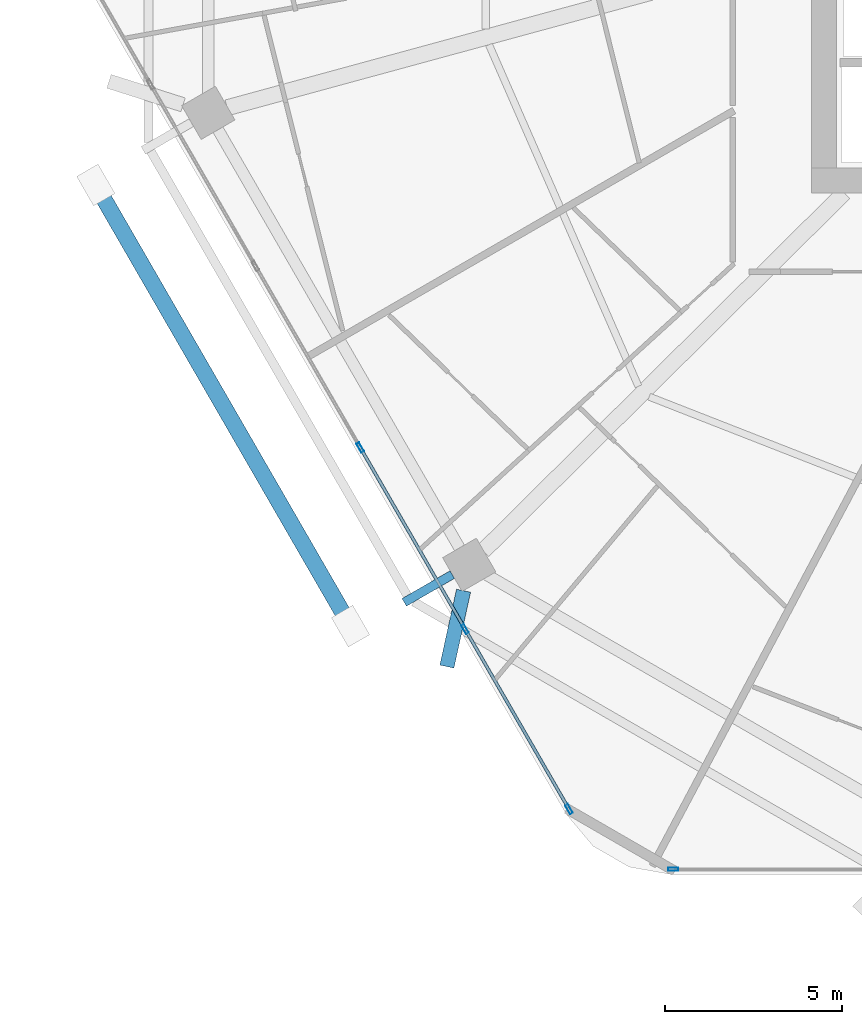
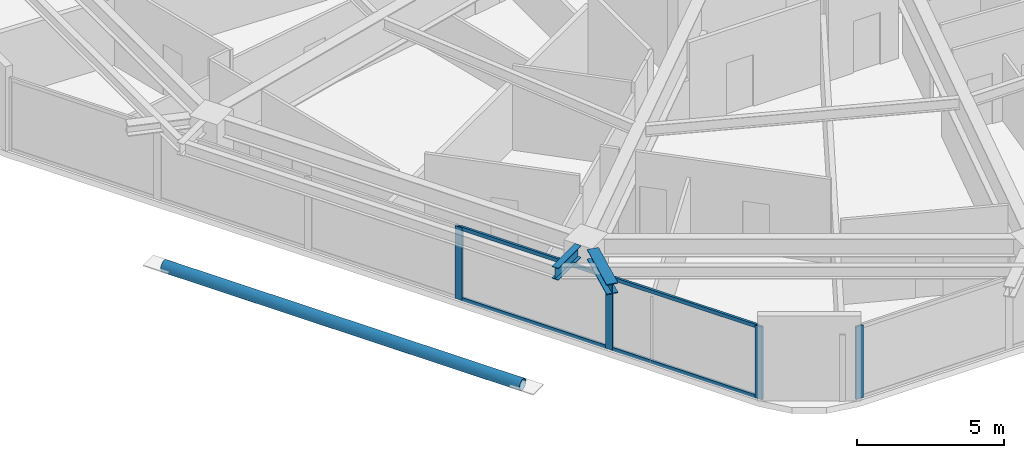
# One storey, part 2 of 33: 9 members, 2 beams, 2 elements without a shape of their own.
"""IFC4 building model written with IfcOpenShell, lengths in metres."""

from ifc_helpers import new_model, si_unit, direction, frame, origin, origin_2d, place, context, subcontext, project, spatial, hollow_rectangle, hollow_circle, i_section, extrude, material, material_profile, profile_set, type_object, element, aggregate, save


model = new_model("IFC4")

# Units and contexts
model_context = context("Model", 3, precision=1e-05, world=origin(), true_north=direction((0.0, 1.0)))
body_context = subcontext(model_context, "Body", "Model", "MODEL_VIEW")
ifc_project = project(units=[si_unit("LENGTHUNIT", "METRE"), si_unit("AREAUNIT", "SQUARE_METRE"), si_unit("VOLUMEUNIT", "CUBIC_METRE"), si_unit("PLANEANGLEUNIT", "RADIAN"), si_unit("MASSUNIT", "GRAM", prefix="KILO")], contexts=[model_context])

# Site, building, storey
site_placement = place(None, origin())
site = spatial("IfcSite", under=ifc_project, at=site_placement, CompositionType="ELEMENT")
building_placement = place(site_placement, origin())
building = spatial("IfcBuilding", under=site, at=building_placement, Name="Zuhravey Tower", CompositionType="ELEMENT")
storey_placement = place(building_placement, frame((0.0, 0.0, 141.800048828125)))
storey = spatial("IfcBuildingStorey", under=building, at=storey_placement, Name="L35", CompositionType="ELEMENT", Elevation=141.800048828125)

# Curtain wall, member
ifc_material_1 = material(Name="Thermally broken anodised aluminium", Category="aluminium")
curtain_wall_type = type_object("IfcCurtainWallType", Name="Zone 1-2 Residential Curtain Wall CW3", PredefinedType="NOTDEFINED", material=ifc_material_1)
curtain_wall_1_placement = place(storey_placement, origin())
curtain_wall_1 = element("IfcCurtainWall", 1, at=curtain_wall_1_placement, inside=storey, type_object=curtain_wall_type, Name="L35 CW3 CW-L35-F5-1", PredefinedType="NOTDEFINED")
ifc_material_2 = material(Name="Anodised aluminium", Category="aluminium")
ifc_material_profile_1 = material_profile(ifc_material_2, hollow_rectangle(XDim=0.090087890625, YDim=0.284912109375, WallThickness=0.0048828125, at=origin_2d()), Name="ALU-RHS-90x285x5")
ifc_profile_set_1 = profile_set([ifc_material_profile_1], Name="Anodised aluminium")
member_type_1 = type_object("IfcMemberType", Name="Curtain-Wall Mullion 90x180", PredefinedType="MULLION", material=ifc_profile_set_1)
member_1_placement = place(storey_placement, frame((21.24560546875, 3.04150390625, 0.0), z_axis=(0.0, 0.0, 1.0), x_axis=(0.0, -1.0, 0.0)))
member_1 = element("IfcMember", 2, at=member_1_placement, type_object=member_type_1, Name="CW3 mullion 6", PredefinedType="MULLION", context=body_context, shape_type="SweptSolid", body=[
    extrude(hollow_rectangle(XDim=0.090087890625, YDim=0.284912109375, WallThickness=0.0048828125, at=origin_2d()), origin(), (0.0, 0.0, 1.0), 3.02001953125),
])
aggregate(curtain_wall_1, [member_1])

# Curtain wall, members
curtain_wall_2_placement = place(storey_placement, origin())
curtain_wall_2 = element("IfcCurtainWall", 3, at=curtain_wall_2_placement, inside=storey, type_object=curtain_wall_type, Name="L35 CW3 CW-L35-F4-1", PredefinedType="NOTDEFINED")
member_2_placement = place(storey_placement, frame((18.298583984375, 4.742919921875, 0.0), z_axis=(0.0, 0.0, 1.0), x_axis=(-0.86602552265, -0.499999794119, 0.0)))
member_2 = element("IfcMember", 4, at=member_2_placement, type_object=member_type_1, Name="CW3 mullion 1", PredefinedType="MULLION", context=body_context, shape_type="SweptSolid", body=[
    extrude(hollow_rectangle(XDim=0.090087890625, YDim=0.284912109375, WallThickness=0.0048828125, at=origin_2d()), origin(), (0.0, 0.0, 1.0), 3.02001953125),
])
member_3_placement = place(storey_placement, frame((15.361083984375, 9.830810546875, 0.0), z_axis=(0.0, 0.0, 1.0), x_axis=(-0.86602552265, -0.499999794119, 0.0)))
member_3 = element("IfcMember", 5, at=member_3_placement, type_object=member_type_1, Name="CW3 mullion 2", PredefinedType="MULLION", context=body_context, shape_type="SweptSolid", body=[
    extrude(hollow_rectangle(XDim=0.090087890625, YDim=0.284912109375, WallThickness=0.0048828125, at=origin_2d()), origin(), (0.0, 0.0, 1.0), 3.02001953125),
])
member_4_placement = place(storey_placement, frame((12.401123046875, 14.95751953125, 0.0), z_axis=(0.0, 0.0, 1.0), x_axis=(-0.86602552265, -0.499999794119, 0.0)))
member_4 = element("IfcMember", 6, at=member_4_placement, type_object=member_type_1, Name="CW3 mullion 3", PredefinedType="MULLION", context=body_context, shape_type="SweptSolid", body=[
    extrude(hollow_rectangle(XDim=0.090087890625, YDim=0.284912109375, WallThickness=0.0048828125, at=origin_2d()), origin(), (0.0, 0.0, 1.0), 3.02001953125),
])
ifc_material_profile_2 = material_profile(ifc_material_2, hollow_rectangle(XDim=0.090087890625, YDim=0.14990234375, WallThickness=0.0048828125, at=origin_2d()), Name="ALU-RHS-90x150x5")
ifc_profile_set_2 = profile_set([ifc_material_profile_2], Name="Anodised aluminium")
member_type_2 = type_object("IfcMemberType", Name="Curtain-Wall Transom 90x150", PredefinedType="USERDEFINED", material=ifc_profile_set_2)
member_5_placement = place(storey_placement, frame((18.27587890625, 4.781982421875, 0.044921875), z_axis=(-0.499992798144, 0.866029561738, 0.0), x_axis=(-0.866029561738, -0.499992798144, 0.0)))
member_5 = element("IfcMember", 7, at=member_5_placement, type_object=member_type_2, Name="CW3 transom 1.1", ObjectType="TRANSOM", PredefinedType="USERDEFINED", context=body_context, shape_type="SweptSolid", body=[
    extrude(hollow_rectangle(XDim=0.090087890625, YDim=0.14990234375, WallThickness=0.0048828125, at=origin_2d()), origin(), (0.0, 0.0, 1.0), 5.78466796875),
])
member_6_placement = place(storey_placement, frame((18.27587890625, 4.781982421875, 2.974853515625), z_axis=(-0.499992798144, 0.866029561738, 0.0), x_axis=(-0.866029561738, -0.499992798144, 0.0)))
member_6 = element("IfcMember", 8, at=member_6_placement, type_object=member_type_2, Name="CW3 transom 1.2", ObjectType="TRANSOM", PredefinedType="USERDEFINED", context=body_context, shape_type="SweptSolid", body=[
    extrude(hollow_rectangle(XDim=0.090087890625, YDim=0.14990234375, WallThickness=0.0048828125, at=origin_2d()), origin(), (0.0, 0.0, 1.0), 5.78466796875),
])
member_7_placement = place(storey_placement, frame((15.338623046875, 9.86962890625, 0.044921875), z_axis=(-0.500012451049, 0.866018215049, 0.0), x_axis=(-0.866018215049, -0.500012451049, 0.0)))
member_7 = element("IfcMember", 9, at=member_7_placement, type_object=member_type_2, Name="CW3 transom 2.1", ObjectType="TRANSOM", PredefinedType="USERDEFINED", context=body_context, shape_type="SweptSolid", body=[
    extrude(hollow_rectangle(XDim=0.090087890625, YDim=0.14990234375, WallThickness=0.0048828125, at=origin_2d()), origin(), (0.0, 0.0, 1.0), 5.829833984375),
])
member_8_placement = place(storey_placement, frame((15.338623046875, 9.86962890625, 2.974853515625), z_axis=(-0.500012451049, 0.866018215049, 0.0), x_axis=(-0.866018215049, -0.500012451049, 0.0)))
member_8 = element("IfcMember", 10, at=member_8_placement, type_object=member_type_2, Name="CW3 transom 2.2", ObjectType="TRANSOM", PredefinedType="USERDEFINED", context=body_context, shape_type="SweptSolid", body=[
    extrude(hollow_rectangle(XDim=0.090087890625, YDim=0.14990234375, WallThickness=0.0048828125, at=origin_2d()), origin(), (0.0, 0.0, 1.0), 5.829833984375),
])
aggregate(curtain_wall_2, [member_2, member_3, member_4, member_5, member_6, member_7, member_8])

# Beam
ifc_material_3 = material(Name="Steel SM460", Category="steel")
ifc_material_profile_3 = material_profile(ifc_material_3, i_section(OverallWidth=0.406982421875, OverallDepth=0.427978515625, WebThickness=0.02001953125, FlangeThickness=0.034912109375, at=origin_2d()), Name="H-428x407x20x35")
ifc_profile_set_3 = profile_set([ifc_material_profile_3], Name="Steel SM460")
beam_type_1 = type_object("IfcBeamType", Name="Exoskeleton Node Tie Beam H428x407", PredefinedType="BEAM", material=ifc_profile_set_3)
beam_1_placement = place(storey_placement, frame((15.3203125, 10.911865234375, 3.305908203125), z_axis=(-0.214692013103, -0.976681800542, 0.0), x_axis=(0.976681800542, -0.214692013103, 0.0)))
element("IfcBeam", 11, at=beam_1_placement, inside=storey, type_object=beam_type_1, Name="L35 Exoskeleton Node Tie NT1-08", PredefinedType="BEAM", context=body_context, shape_type="SweptSolid", body=[
    extrude(i_section(OverallWidth=0.406982421875, OverallDepth=0.427978515625, WebThickness=0.02001953125, FlangeThickness=0.034912109375, at=origin_2d()), origin(), (0.0, 0.0, 1.0), 2.19482421875),
])

# Member
ifc_material_4 = material(Name="Steel SM355", Category="steel")
ifc_material_profile_4 = material_profile(ifc_material_4, hollow_circle(Radius=0.228515625, WallThickness=0.02197265625, at=origin_2d()), Name="CHS-457.2x22")
ifc_profile_set_4 = profile_set([ifc_material_profile_4], Name="Steel SM355")
member_type_3 = type_object("IfcMemberType", Name="Exoskeleton Ring Tie CHS457x22", PredefinedType="CHORD", material=ifc_profile_set_4)
member_9_placement = place(storey_placement, frame((5.004150390625, 22.24951171875, -0.464111328125), z_axis=(0.499995593262, -0.866027948001, 0.0), x_axis=(0.866027948001, 0.499995593262, 0.0)))
element("IfcMember", 12, at=member_9_placement, inside=storey, type_object=member_type_3, Name="L35 Exoskeleton Face 4 Tie EXR1", PredefinedType="CHORD", context=body_context, shape_type="SweptSolid", body=[
    extrude(hollow_circle(Radius=0.228515625, WallThickness=0.02197265625, at=origin_2d()), origin(), (0.0, 0.0, 1.0), 14.107666015625),
])

# Beam
ifc_material_profile_5 = material_profile(ifc_material_4, i_section(OverallWidth=0.25, OverallDepth=0.5, WebThickness=0.010009765625, FlangeThickness=0.01611328125, at=origin_2d()), Name="H-500x250x10x16")
ifc_profile_set_5 = profile_set([ifc_material_profile_5], Name="Steel SM355")
beam_type_2 = type_object("IfcBeamType", Name="Tray Cantilever Spandrel H500x250", PredefinedType="SPANDREL", material=ifc_profile_set_5)
beam_2_placement = place(storey_placement, frame((15.001220703125, 11.3662109375, 3.27001953125), z_axis=(-0.8659700968, -0.500095782274, 0.0), x_axis=(0.500095782274, -0.8659700968, 0.0)))
element("IfcBeam", 13, at=beam_2_placement, inside=storey, type_object=beam_type_2, Name="L35 Sky-Tray Cantilever Arm TSB1-R08", PredefinedType="SPANDREL", context=body_context, shape_type="SweptSolid", body=[
    extrude(i_section(OverallWidth=0.25, OverallDepth=0.5, WebThickness=0.010009765625, FlangeThickness=0.01611328125, at=origin_2d()), origin(), (0.0, 0.0, 1.0), 1.566162109375),
])

save(model, "model.ifc")
